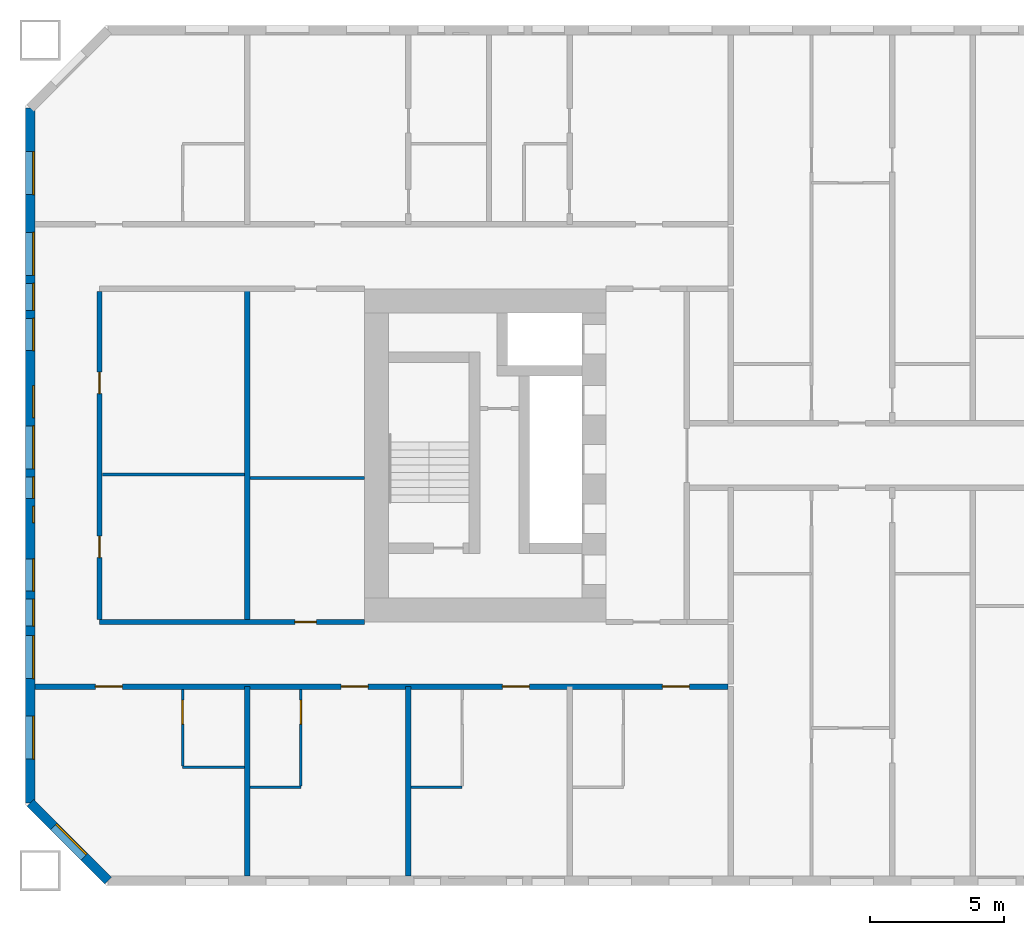
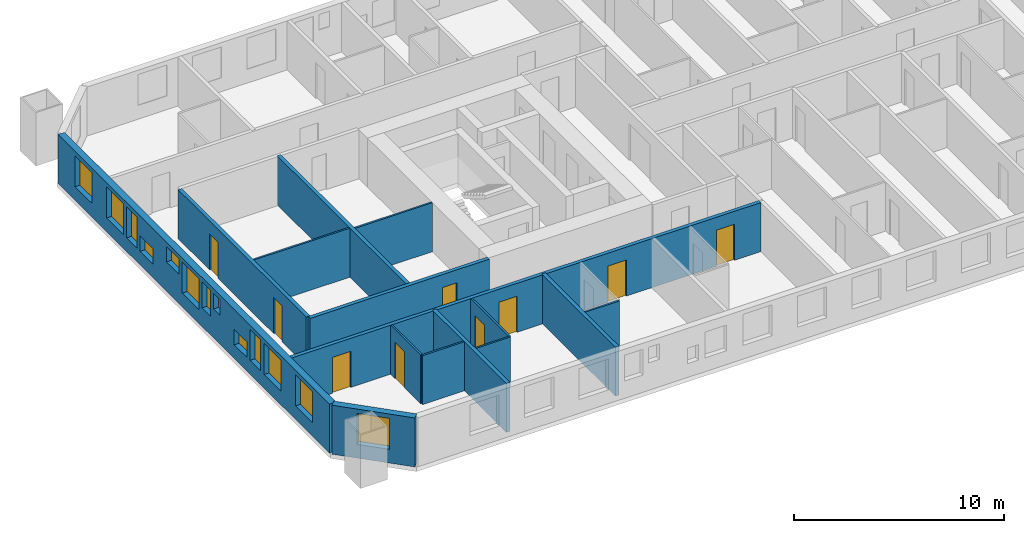
# One storey, part 2 of 17: 15 walls, 13 windows, 9 doors, 22 openings.
"""IFC4 building model written with IfcOpenShell, lengths in metres."""

from ifc_helpers import new_model, si_unit, direction, frame, frame_2d, origin, place, context, subcontext, project, spatial, rectangle, extrude, material, layer, layer_set, type_object, element, fill, save


model = new_model("IFC4")

# Units and contexts
model_context = context("Model", 3, precision=1e-05, world=origin(), true_north=direction((0.0, 1.0)))
body_context = subcontext(model_context, "Body", "Model", "MODEL_VIEW")
ifc_project = project(units=[si_unit("LENGTHUNIT", "METRE"), si_unit("AREAUNIT", "SQUARE_METRE"), si_unit("VOLUMEUNIT", "CUBIC_METRE"), si_unit("PLANEANGLEUNIT", "RADIAN"), si_unit("MASSUNIT", "GRAM", prefix="KILO")], contexts=[model_context])

# Site, building, storey
site_placement = place(None, origin())
site = spatial("IfcSite", under=ifc_project, at=site_placement, CompositionType="ELEMENT")
building_placement = place(site_placement, origin())
building = spatial("IfcBuilding", under=site, at=building_placement, Name="Tuart Gate Housing", CompositionType="ELEMENT")
storey_placement = place(building_placement, frame((0.0, 0.0, 28.800048828125)))
storey = spatial("IfcBuildingStorey", under=building, at=storey_placement, Name="L07", CompositionType="ELEMENT", Elevation=28.800048828125)

# Wall, opening, window
ifc_material_1 = material(Name="Brick", Category="masonry")
ifc_layer_1 = layer(ifc_material_1, 0.360107421875)
ifc_layer_set_1 = layer_set([ifc_layer_1], Name="Brick pier and spandrel wall 360")
wall_type_1 = type_object("IfcWallType", Name="Brick pier and spandrel wall 360", PredefinedType="STANDARD", material=ifc_layer_set_1)
wall_1_placement = place(storey_placement, frame((19.929931640625, 57.07470703125, 0.0), z_axis=(0.0, 0.0, 1.0), x_axis=(0.707106781187, -0.707106781187, 0.0)))
wall_1 = element("IfcWall", 1, at=wall_1_placement, inside=storey, type_object=wall_type_1, Name="External wall A-SW L07", PredefinedType="STANDARD", context=body_context, shape_type="SweptSolid", body=[
    extrude(rectangle(XDim=4.09375, YDim=0.360107421875, at=frame_2d((2.046875, 0.0))), origin(), (0.0, 0.0, 1.0), 2.849853515625),
])
opening_1_placement = place(wall_1_placement, frame((1.2470703125, 0.0, 0.800048828125)))
opening_1 = element("IfcOpeningElement", 2, at=opening_1_placement, cuts=wall_1, Name="Opening W1", PredefinedType="OPENING", context=body_context, shape_type="SweptSolid", body=[
    extrude(rectangle(XDim=1.60009765625, YDim=1.800048828125, at=frame_2d((0.800048828125, 0.89990234375))), frame((0.0, 0.18994140625, 0.0), z_axis=(0.0, -1.0, 0.0), x_axis=(1.0, 0.0, 0.0)), (0.0, 0.0, 1.0), 0.380126953125),
])
ifc_material_2 = material(Name="Aluminium frame with clear glass", Category="aluminium")
window_type_1 = type_object("IfcWindowType", Name="Punched window 1600 x 1800", PartitioningType="SINGLE_PANEL", PredefinedType="WINDOW", material=ifc_material_2)
window_1_placement = place(opening_1_placement, origin())
window_1 = element("IfcWindow", 3, at=window_1_placement, inside=storey, type_object=window_type_1, Name="Window W1", OverallHeight=1.800048828125, OverallWidth=1.60009765625, PartitioningType="SINGLE_PANEL", PredefinedType="WINDOW", context=body_context, shape_type="SweptSolid", body=[
    extrude(rectangle(XDim=1.60009765625, YDim=1.800048828125, at=frame_2d((0.800048828125, 0.89990234375))), frame((0.0, 0.150146484375, 0.0), z_axis=(0.0, -1.0, 0.0), x_axis=(1.0, 0.0, 0.0)), (0.0, 0.0, 1.0), 0.06005859375),
])
fill(opening_1, window_1)

# Wall, openings, windows
wall_2_placement = place(storey_placement, frame((19.929931640625, 82.92529296875, 0.0), z_axis=(0.0, 0.0, 1.0), x_axis=(0.0, -1.0, 0.0)))
wall_2 = element("IfcWall", 4, at=wall_2_placement, inside=storey, type_object=wall_type_1, Name="External wall A-W L07", PredefinedType="STANDARD", context=body_context, shape_type="SweptSolid", body=[
    extrude(rectangle(XDim=25.850830078125, YDim=0.360107421875, at=frame_2d((12.92529296875, 0.0))), origin(), (0.0, 0.0, 1.0), 2.849853515625),
])
opening_2_placement = place(wall_2_placement, frame((1.62548828125, 0.0, 0.800048828125)))
opening_2 = element("IfcOpeningElement", 5, at=opening_2_placement, cuts=wall_2, Name="Opening W1", PredefinedType="OPENING", context=body_context, shape_type="SweptSolid", body=[
    extrude(rectangle(XDim=1.60009765625, YDim=1.800048828125, at=frame_2d((0.800048828125, 0.89990234375))), frame((0.0, 0.18994140625, 0.0), z_axis=(0.0, -1.0, 0.0), x_axis=(1.0, 0.0, 0.0)), (0.0, 0.0, 1.0), 0.380126953125),
])
opening_3_placement = place(wall_2_placement, frame((4.62548828125, 0.0, 0.800048828125)))
opening_3 = element("IfcOpeningElement", 6, at=opening_3_placement, cuts=wall_2, Name="Opening W1", PredefinedType="OPENING", context=body_context, shape_type="SweptSolid", body=[
    extrude(rectangle(XDim=1.60009765625, YDim=1.800048828125, at=frame_2d((0.800048828125, 0.89990234375))), frame((0.0, 0.18994140625, 0.0), z_axis=(0.0, -1.0, 0.0), x_axis=(1.0, 0.0, 0.0)), (0.0, 0.0, 1.0), 0.380126953125),
])
opening_4_placement = place(wall_2_placement, frame((6.525390625, 0.0, 0.800048828125)))
opening_4 = element("IfcOpeningElement", 7, at=opening_4_placement, cuts=wall_2, Name="Opening W1C", PredefinedType="OPENING", context=body_context, shape_type="SweptSolid", body=[
    extrude(rectangle(XDim=1.0, YDim=1.800048828125, at=frame_2d((0.5, 0.89990234375))), frame((0.0, 0.18994140625, 0.0), z_axis=(0.0, -1.0, 0.0), x_axis=(1.0, 0.0, 0.0)), (0.0, 0.0, 1.0), 0.380126953125),
])
opening_5_placement = place(wall_2_placement, frame((7.825439453125, 0.0, 0.800048828125)))
opening_5 = element("IfcOpeningElement", 8, at=opening_5_placement, cuts=wall_2, Name="Opening W1T", PredefinedType="OPENING", context=body_context, shape_type="SweptSolid", body=[
    extrude(rectangle(XDim=1.199951171875, YDim=0.89990234375, at=frame_2d((0.60009765625, 0.449951171875))), frame((0.0, 0.18994140625, 0.0), z_axis=(0.0, -1.0, 0.0), x_axis=(1.0, 0.0, 0.0)), (0.0, 0.0, 1.0), 0.380126953125),
])
opening_6_placement = place(wall_2_placement, frame((10.325439453125, 0.0, 1.699951171875)))
opening_6 = element("IfcOpeningElement", 9, at=opening_6_placement, cuts=wall_2, Name="Opening W1T", PredefinedType="OPENING", context=body_context, shape_type="SweptSolid", body=[
    extrude(rectangle(XDim=1.199951171875, YDim=0.89990234375, at=frame_2d((0.60009765625, 0.449951171875))), frame((0.0, 0.18994140625, 0.0), z_axis=(0.0, -1.0, 0.0), x_axis=(1.0, 0.0, 0.0)), (0.0, 0.0, 1.0), 0.380126953125),
])
opening_7_placement = place(wall_2_placement, frame((11.825439453125, 0.0, 0.800048828125)))
opening_7 = element("IfcOpeningElement", 10, at=opening_7_placement, cuts=wall_2, Name="Opening W1", PredefinedType="OPENING", context=body_context, shape_type="SweptSolid", body=[
    extrude(rectangle(XDim=1.60009765625, YDim=1.800048828125, at=frame_2d((0.800048828125, 0.89990234375))), frame((0.0, 0.18994140625, 0.0), z_axis=(0.0, -1.0, 0.0), x_axis=(1.0, 0.0, 0.0)), (0.0, 0.0, 1.0), 0.380126953125),
])
opening_8_placement = place(wall_2_placement, frame((19.62548828125, 0.0, 0.800048828125)))
opening_8 = element("IfcOpeningElement", 11, at=opening_8_placement, cuts=wall_2, Name="Opening W1", PredefinedType="OPENING", context=body_context, shape_type="SweptSolid", body=[
    extrude(rectangle(XDim=1.60009765625, YDim=1.800048828125, at=frame_2d((0.800048828125, 0.89990234375))), frame((0.0, 0.18994140625, 0.0), z_axis=(0.0, -1.0, 0.0), x_axis=(1.0, 0.0, 0.0)), (0.0, 0.0, 1.0), 0.380126953125),
])
opening_9_placement = place(wall_2_placement, frame((22.62548828125, 0.0, 0.800048828125)))
opening_9 = element("IfcOpeningElement", 12, at=opening_9_placement, cuts=wall_2, Name="Opening W1", PredefinedType="OPENING", context=body_context, shape_type="SweptSolid", body=[
    extrude(rectangle(XDim=1.60009765625, YDim=1.800048828125, at=frame_2d((0.800048828125, 0.89990234375))), frame((0.0, 0.18994140625, 0.0), z_axis=(0.0, -1.0, 0.0), x_axis=(1.0, 0.0, 0.0)), (0.0, 0.0, 1.0), 0.380126953125),
])
opening_10_placement = place(wall_2_placement, frame((13.725341796875, 0.0, 1.10009765625)))
opening_10 = element("IfcOpeningElement", 13, at=opening_10_placement, cuts=wall_2, Name="Opening W1J", PredefinedType="OPENING", context=body_context, shape_type="SweptSolid", body=[
    extrude(rectangle(XDim=0.800048828125, YDim=1.5, at=frame_2d((0.39990234375, 0.75))), frame((0.0, 0.18994140625, 0.0), z_axis=(0.0, -1.0, 0.0), x_axis=(1.0, 0.0, 0.0)), (0.0, 0.0, 1.0), 0.380126953125),
])
opening_11_placement = place(wall_2_placement, frame((14.825439453125, 0.0, 1.699951171875)))
opening_11 = element("IfcOpeningElement", 14, at=opening_11_placement, cuts=wall_2, Name="Opening W1W", PredefinedType="OPENING", context=body_context, shape_type="SweptSolid", body=[
    extrude(rectangle(XDim=0.60009765625, YDim=0.89990234375, at=frame_2d((0.300048828125, 0.449951171875))), frame((0.0, 0.18994140625, 0.0), z_axis=(0.0, -1.0, 0.0), x_axis=(1.0, 0.0, 0.0)), (0.0, 0.0, 1.0), 0.380126953125),
])
opening_12_placement = place(wall_2_placement, frame((16.775390625, 0.0, 0.800048828125)))
opening_12 = element("IfcOpeningElement", 15, at=opening_12_placement, cuts=wall_2, Name="Opening W1T", PredefinedType="OPENING", context=body_context, shape_type="SweptSolid", body=[
    extrude(rectangle(XDim=1.199951171875, YDim=0.89990234375, at=frame_2d((0.60009765625, 0.449951171875))), frame((0.0, 0.18994140625, 0.0), z_axis=(0.0, -1.0, 0.0), x_axis=(1.0, 0.0, 0.0)), (0.0, 0.0, 1.0), 0.380126953125),
])
opening_13_placement = place(wall_2_placement, frame((18.275390625, 0.0, 0.800048828125)))
opening_13 = element("IfcOpeningElement", 16, at=opening_13_placement, cuts=wall_2, Name="Opening W1C", PredefinedType="OPENING", context=body_context, shape_type="SweptSolid", body=[
    extrude(rectangle(XDim=1.0, YDim=1.800048828125, at=frame_2d((0.5, 0.89990234375))), frame((0.0, 0.18994140625, 0.0), z_axis=(0.0, -1.0, 0.0), x_axis=(1.0, 0.0, 0.0)), (0.0, 0.0, 1.0), 0.380126953125),
])
ifc_material_3 = material(Name="Aluminium frame with clear glass", Category="aluminium")
window_type_2 = type_object("IfcWindowType", Name="Punched window 1000 x 1800", PartitioningType="SINGLE_PANEL", PredefinedType="WINDOW", material=ifc_material_3)
window_2_placement = place(opening_4_placement, origin())
window_2 = element("IfcWindow", 17, at=window_2_placement, inside=storey, type_object=window_type_2, Name="Window W1C", OverallHeight=1.800048828125, OverallWidth=1.0, PartitioningType="SINGLE_PANEL", PredefinedType="WINDOW", context=body_context, shape_type="SweptSolid", body=[
    extrude(rectangle(XDim=1.0, YDim=1.800048828125, at=frame_2d((0.5, 0.89990234375))), frame((0.0, 0.150146484375, 0.0), z_axis=(0.0, -1.0, 0.0), x_axis=(1.0, 0.0, 0.0)), (0.0, 0.0, 1.0), 0.06005859375),
])
fill(opening_4, window_2)
window_3_placement = place(opening_13_placement, origin())
window_3 = element("IfcWindow", 18, at=window_3_placement, inside=storey, type_object=window_type_2, Name="Window W1C", OverallHeight=1.800048828125, OverallWidth=1.0, PartitioningType="SINGLE_PANEL", PredefinedType="WINDOW", context=body_context, shape_type="SweptSolid", body=[
    extrude(rectangle(XDim=1.0, YDim=1.800048828125, at=frame_2d((0.5, 0.89990234375))), frame((0.0, 0.150146484375, 0.0), z_axis=(0.0, -1.0, 0.0), x_axis=(1.0, 0.0, 0.0)), (0.0, 0.0, 1.0), 0.06005859375),
])
fill(opening_13, window_3)
ifc_material_4 = material(Name="Aluminium frame with clear glass", Category="aluminium")
window_type_3 = type_object("IfcWindowType", Name="Punched window 1200 x 900", PartitioningType="SINGLE_PANEL", PredefinedType="WINDOW", material=ifc_material_4)
window_4_placement = place(opening_5_placement, origin())
window_4 = element("IfcWindow", 19, at=window_4_placement, inside=storey, type_object=window_type_3, Name="Window W1T", OverallHeight=0.89990234375, OverallWidth=1.199951171875, PartitioningType="SINGLE_PANEL", PredefinedType="WINDOW", context=body_context, shape_type="SweptSolid", body=[
    extrude(rectangle(XDim=1.199951171875, YDim=0.89990234375, at=frame_2d((0.60009765625, 0.449951171875))), frame((0.0, 0.150146484375, 0.0), z_axis=(0.0, -1.0, 0.0), x_axis=(1.0, 0.0, 0.0)), (0.0, 0.0, 1.0), 0.06005859375),
])
fill(opening_5, window_4)
window_5_placement = place(opening_6_placement, origin())
window_5 = element("IfcWindow", 20, at=window_5_placement, inside=storey, type_object=window_type_3, Name="Window W1T", OverallHeight=0.89990234375, OverallWidth=1.199951171875, PartitioningType="SINGLE_PANEL", PredefinedType="WINDOW", context=body_context, shape_type="SweptSolid", body=[
    extrude(rectangle(XDim=1.199951171875, YDim=0.89990234375, at=frame_2d((0.60009765625, 0.449951171875))), frame((0.0, 0.150146484375, 0.0), z_axis=(0.0, -1.0, 0.0), x_axis=(1.0, 0.0, 0.0)), (0.0, 0.0, 1.0), 0.06005859375),
])
fill(opening_6, window_5)
window_6_placement = place(opening_12_placement, origin())
window_6 = element("IfcWindow", 21, at=window_6_placement, inside=storey, type_object=window_type_3, Name="Window W1T", OverallHeight=0.89990234375, OverallWidth=1.199951171875, PartitioningType="SINGLE_PANEL", PredefinedType="WINDOW", context=body_context, shape_type="SweptSolid", body=[
    extrude(rectangle(XDim=1.199951171875, YDim=0.89990234375, at=frame_2d((0.60009765625, 0.449951171875))), frame((0.0, 0.150146484375, 0.0), z_axis=(0.0, -1.0, 0.0), x_axis=(1.0, 0.0, 0.0)), (0.0, 0.0, 1.0), 0.06005859375),
])
fill(opening_12, window_6)
window_7_placement = place(opening_2_placement, origin())
window_7 = element("IfcWindow", 22, at=window_7_placement, inside=storey, type_object=window_type_1, Name="Window W1", OverallHeight=1.800048828125, OverallWidth=1.60009765625, PartitioningType="SINGLE_PANEL", PredefinedType="WINDOW", context=body_context, shape_type="SweptSolid", body=[
    extrude(rectangle(XDim=1.60009765625, YDim=1.800048828125, at=frame_2d((0.800048828125, 0.89990234375))), frame((0.0, 0.150146484375, 0.0), z_axis=(0.0, -1.0, 0.0), x_axis=(1.0, 0.0, 0.0)), (0.0, 0.0, 1.0), 0.06005859375),
])
fill(opening_2, window_7)
window_8_placement = place(opening_3_placement, origin())
window_8 = element("IfcWindow", 23, at=window_8_placement, inside=storey, type_object=window_type_1, Name="Window W1", OverallHeight=1.800048828125, OverallWidth=1.60009765625, PartitioningType="SINGLE_PANEL", PredefinedType="WINDOW", context=body_context, shape_type="SweptSolid", body=[
    extrude(rectangle(XDim=1.60009765625, YDim=1.800048828125, at=frame_2d((0.800048828125, 0.89990234375))), frame((0.0, 0.150146484375, 0.0), z_axis=(0.0, -1.0, 0.0), x_axis=(1.0, 0.0, 0.0)), (0.0, 0.0, 1.0), 0.06005859375),
])
fill(opening_3, window_8)
window_9_placement = place(opening_7_placement, origin())
window_9 = element("IfcWindow", 24, at=window_9_placement, inside=storey, type_object=window_type_1, Name="Window W1", OverallHeight=1.800048828125, OverallWidth=1.60009765625, PartitioningType="SINGLE_PANEL", PredefinedType="WINDOW", context=body_context, shape_type="SweptSolid", body=[
    extrude(rectangle(XDim=1.60009765625, YDim=1.800048828125, at=frame_2d((0.800048828125, 0.89990234375))), frame((0.0, 0.150146484375, 0.0), z_axis=(0.0, -1.0, 0.0), x_axis=(1.0, 0.0, 0.0)), (0.0, 0.0, 1.0), 0.06005859375),
])
fill(opening_7, window_9)
window_10_placement = place(opening_8_placement, origin())
window_10 = element("IfcWindow", 25, at=window_10_placement, inside=storey, type_object=window_type_1, Name="Window W1", OverallHeight=1.800048828125, OverallWidth=1.60009765625, PartitioningType="SINGLE_PANEL", PredefinedType="WINDOW", context=body_context, shape_type="SweptSolid", body=[
    extrude(rectangle(XDim=1.60009765625, YDim=1.800048828125, at=frame_2d((0.800048828125, 0.89990234375))), frame((0.0, 0.150146484375, 0.0), z_axis=(0.0, -1.0, 0.0), x_axis=(1.0, 0.0, 0.0)), (0.0, 0.0, 1.0), 0.06005859375),
])
fill(opening_8, window_10)
window_11_placement = place(opening_9_placement, origin())
window_11 = element("IfcWindow", 26, at=window_11_placement, inside=storey, type_object=window_type_1, Name="Window W1", OverallHeight=1.800048828125, OverallWidth=1.60009765625, PartitioningType="SINGLE_PANEL", PredefinedType="WINDOW", context=body_context, shape_type="SweptSolid", body=[
    extrude(rectangle(XDim=1.60009765625, YDim=1.800048828125, at=frame_2d((0.800048828125, 0.89990234375))), frame((0.0, 0.150146484375, 0.0), z_axis=(0.0, -1.0, 0.0), x_axis=(1.0, 0.0, 0.0)), (0.0, 0.0, 1.0), 0.06005859375),
])
fill(opening_9, window_11)
ifc_material_5 = material(Name="Aluminium frame with clear glass", Category="aluminium")
window_type_4 = type_object("IfcWindowType", Name="Punched window 600 x 900", PartitioningType="SINGLE_PANEL", PredefinedType="WINDOW", material=ifc_material_5)
window_12_placement = place(opening_11_placement, origin())
window_12 = element("IfcWindow", 27, at=window_12_placement, inside=storey, type_object=window_type_4, Name="Window W1W", OverallHeight=0.89990234375, OverallWidth=0.60009765625, PartitioningType="SINGLE_PANEL", PredefinedType="WINDOW", context=body_context, shape_type="SweptSolid", body=[
    extrude(rectangle(XDim=0.60009765625, YDim=0.89990234375, at=frame_2d((0.300048828125, 0.449951171875))), frame((0.0, 0.150146484375, 0.0), z_axis=(0.0, -1.0, 0.0), x_axis=(1.0, 0.0, 0.0)), (0.0, 0.0, 1.0), 0.06005859375),
])
fill(opening_11, window_12)
ifc_material_6 = material(Name="Aluminium frame with clear glass", Category="aluminium")
window_type_5 = type_object("IfcWindowType", Name="Punched window 800 x 1500", PartitioningType="SINGLE_PANEL", PredefinedType="WINDOW", material=ifc_material_6)
window_13_placement = place(opening_10_placement, origin())
window_13 = element("IfcWindow", 28, at=window_13_placement, inside=storey, type_object=window_type_5, Name="Window W1J", OverallHeight=1.5, OverallWidth=0.800048828125, PartitioningType="SINGLE_PANEL", PredefinedType="WINDOW", context=body_context, shape_type="SweptSolid", body=[
    extrude(rectangle(XDim=0.800048828125, YDim=1.5, at=frame_2d((0.39990234375, 0.75))), frame((0.0, 0.150146484375, 0.0), z_axis=(0.0, -1.0, 0.0), x_axis=(1.0, 0.0, 0.0)), (0.0, 0.0, 1.0), 0.06005859375),
])
fill(opening_10, window_13)

# Wall, openings, doors
ifc_material_7 = material(Name="Concrete masonry 15 MPa", Category="masonry")
ifc_layer_2 = layer(ifc_material_7, 0.199951171875)
ifc_layer_set_2 = layer_set([ifc_layer_2], Name="Corridor wall masonry 200")
wall_type_2 = type_object("IfcWallType", Name="Corridor wall masonry 200", PredefinedType="PARTITIONING", material=ifc_layer_set_2)
wall_3_placement = place(storey_placement, frame((20.110107421875, 61.39990234375, 0.0), z_axis=(0.0, 0.0, 1.0), x_axis=(1.0, 0.0, 0.0)))
wall_3 = element("IfcWall", 29, at=wall_3_placement, inside=storey, type_object=wall_type_2, Name="Corridor wall masonry 200", PredefinedType="PARTITIONING", context=body_context, shape_type="SweptSolid", body=[
    extrude(rectangle(XDim=25.789794921875, YDim=0.199951171875, at=frame_2d((12.89501953125, 0.0))), origin(), (0.0, 0.0, 1.0), 2.849853515625),
])
opening_14_placement = place(wall_3_placement, frame((23.340087890625, 0.0, 0.0)))
opening_14 = element("IfcOpeningElement", 30, at=opening_14_placement, cuts=wall_3, Name="Opening D518", PredefinedType="OPENING", context=body_context, shape_type="SweptSolid", body=[
    extrude(rectangle(XDim=1.0, YDim=2.10009765625, at=frame_2d((0.5, 1.050048828125))), frame((0.0, 0.10986328125, 0.0), z_axis=(0.0, -1.0, 0.0), x_axis=(1.0, 0.0, 0.0)), (0.0, 0.0, 1.0), 0.219970703125),
])
opening_15_placement = place(wall_3_placement, frame((17.389892578125, 0.0, 0.0)))
opening_15 = element("IfcOpeningElement", 31, at=opening_15_placement, cuts=wall_3, Name="Opening D519", PredefinedType="OPENING", context=body_context, shape_type="SweptSolid", body=[
    extrude(rectangle(XDim=1.0, YDim=2.10009765625, at=frame_2d((0.5, 1.050048828125))), frame((0.0, 0.10986328125, 0.0), z_axis=(0.0, -1.0, 0.0), x_axis=(1.0, 0.0, 0.0)), (0.0, 0.0, 1.0), 0.219970703125),
])
opening_16_placement = place(wall_3_placement, frame((11.389892578125, 0.0, 0.0)))
opening_16 = element("IfcOpeningElement", 32, at=opening_16_placement, cuts=wall_3, Name="Opening D520", PredefinedType="OPENING", context=body_context, shape_type="SweptSolid", body=[
    extrude(rectangle(XDim=1.0, YDim=2.10009765625, at=frame_2d((0.5, 1.050048828125))), frame((0.0, 0.10986328125, 0.0), z_axis=(0.0, -1.0, 0.0), x_axis=(1.0, 0.0, 0.0)), (0.0, 0.0, 1.0), 0.219970703125),
])
opening_17_placement = place(wall_3_placement, frame((2.2451171875, 0.0, 0.0)))
opening_17 = element("IfcOpeningElement", 33, at=opening_17_placement, cuts=wall_3, Name="Opening D521", PredefinedType="OPENING", context=body_context, shape_type="SweptSolid", body=[
    extrude(rectangle(XDim=1.0, YDim=2.10009765625, at=frame_2d((0.5, 1.050048828125))), frame((0.0, 0.10986328125, 0.0), z_axis=(0.0, -1.0, 0.0), x_axis=(1.0, 0.0, 0.0)), (0.0, 0.0, 1.0), 0.219970703125),
])
ifc_material_8 = material(Name="Timber door leaf in steel frame", Category="steel")
door_type_1 = type_object("IfcDoorType", Name="Flat entrance door 1000 RH", OperationType="SINGLE_SWING_RIGHT", PredefinedType="DOOR", material=ifc_material_8)
door_1_placement = place(opening_14_placement, frame((1.0, 0.0, 0.0), z_axis=(0.0, 0.0, 1.0), x_axis=(-1.0, 0.0, 0.0)))
door_1 = element("IfcDoor", 34, at=door_1_placement, inside=storey, type_object=door_type_1, Name="Flat entrance door", OperationType="SINGLE_SWING_RIGHT", OverallHeight=2.10009765625, OverallWidth=1.0, PredefinedType="DOOR", context=body_context, shape_type="SweptSolid", body=[
    extrude(rectangle(XDim=1.0, YDim=2.10009765625, at=frame_2d((0.5, 1.050048828125))), frame((0.0, 0.025146484375, 0.0), z_axis=(0.0, -1.0, 0.0), x_axis=(1.0, 0.0, 0.0)), (0.0, 0.0, 1.0), 0.050048828125),
])
fill(opening_14, door_1)
door_2_placement = place(opening_15_placement, frame((1.0, 0.0, 0.0), z_axis=(0.0, 0.0, 1.0), x_axis=(-1.0, 0.0, 0.0)))
door_2 = element("IfcDoor", 35, at=door_2_placement, inside=storey, type_object=door_type_1, Name="Flat entrance door", OperationType="SINGLE_SWING_RIGHT", OverallHeight=2.10009765625, OverallWidth=1.0, PredefinedType="DOOR", context=body_context, shape_type="SweptSolid", body=[
    extrude(rectangle(XDim=1.0, YDim=2.10009765625, at=frame_2d((0.5, 1.050048828125))), frame((0.0, 0.025146484375, 0.0), z_axis=(0.0, -1.0, 0.0), x_axis=(1.0, 0.0, 0.0)), (0.0, 0.0, 1.0), 0.050048828125),
])
fill(opening_15, door_2)
door_3_placement = place(opening_16_placement, frame((1.0, 0.0, 0.0), z_axis=(0.0, 0.0, 1.0), x_axis=(-1.0, 0.0, 0.0)))
door_3 = element("IfcDoor", 36, at=door_3_placement, inside=storey, type_object=door_type_1, Name="Flat entrance door", OperationType="SINGLE_SWING_RIGHT", OverallHeight=2.10009765625, OverallWidth=1.0, PredefinedType="DOOR", context=body_context, shape_type="SweptSolid", body=[
    extrude(rectangle(XDim=1.0, YDim=2.10009765625, at=frame_2d((0.5, 1.050048828125))), frame((0.0, 0.025146484375, 0.0), z_axis=(0.0, -1.0, 0.0), x_axis=(1.0, 0.0, 0.0)), (0.0, 0.0, 1.0), 0.050048828125),
])
fill(opening_16, door_3)
door_4_placement = place(opening_17_placement, frame((1.0, 0.0, 0.0), z_axis=(0.0, 0.0, 1.0), x_axis=(-1.0, 0.0, 0.0)))
door_4 = element("IfcDoor", 37, at=door_4_placement, inside=storey, type_object=door_type_1, Name="Flat entrance door", OperationType="SINGLE_SWING_RIGHT", OverallHeight=2.10009765625, OverallWidth=1.0, PredefinedType="DOOR", context=body_context, shape_type="SweptSolid", body=[
    extrude(rectangle(XDim=1.0, YDim=2.10009765625, at=frame_2d((0.5, 1.050048828125))), frame((0.0, 0.025146484375, 0.0), z_axis=(0.0, -1.0, 0.0), x_axis=(1.0, 0.0, 0.0)), (0.0, 0.0, 1.0), 0.050048828125),
])
fill(opening_17, door_4)

# Wall, opening, door
wall_4_placement = place(storey_placement, frame((22.510009765625, 63.800048828125, 0.0), z_axis=(0.0, 0.0, 1.0), x_axis=(1.0, 0.0, 0.0)))
wall_4 = element("IfcWall", 38, at=wall_4_placement, inside=storey, type_object=wall_type_2, Name="Corridor wall masonry 200", PredefinedType="PARTITIONING", context=body_context, shape_type="SweptSolid", body=[
    extrude(rectangle(XDim=9.85009765625, YDim=0.199951171875, at=frame_2d((4.925048828125, 0.0))), origin(), (0.0, 0.0, 1.0), 2.849853515625),
])
opening_18_placement = place(wall_4_placement, frame((7.27001953125, 0.0, 0.0)))
opening_18 = element("IfcOpeningElement", 39, at=opening_18_placement, cuts=wall_4, Name="Opening D507", PredefinedType="OPENING", context=body_context, shape_type="SweptSolid", body=[
    extrude(rectangle(XDim=0.800048828125, YDim=2.10009765625, at=frame_2d((0.39990234375, 1.050048828125))), frame((0.0, 0.10986328125, 0.0), z_axis=(0.0, -1.0, 0.0), x_axis=(1.0, 0.0, 0.0)), (0.0, 0.0, 1.0), 0.219970703125),
])
ifc_material_9 = material(Name="Timber door leaf in steel frame", Category="steel")
door_type_2 = type_object("IfcDoorType", Name="Store door 800", OperationType="SINGLE_SWING_LEFT", PredefinedType="DOOR", material=ifc_material_9)
door_5_placement = place(opening_18_placement, origin())
door_5 = element("IfcDoor", 40, at=door_5_placement, inside=storey, type_object=door_type_2, Name="Store door", OperationType="SINGLE_SWING_LEFT", OverallHeight=2.10009765625, OverallWidth=0.800048828125, PredefinedType="DOOR", context=body_context, shape_type="SweptSolid", body=[
    extrude(rectangle(XDim=0.800048828125, YDim=2.10009765625, at=frame_2d((0.39990234375, 1.050048828125))), frame((0.0, 0.02490234375, 0.0), z_axis=(0.0, -1.0, 0.0), x_axis=(1.0, 0.0, 0.0)), (0.0, 0.0, 1.0), 0.050048828125),
])
fill(opening_18, door_5)

# Wall, openings, doors
wall_5_placement = place(storey_placement, frame((22.510009765625, 63.89990234375, 0.0), z_axis=(0.0, 0.0, 1.0), x_axis=(0.0, 1.0, 0.0)))
wall_5 = element("IfcWall", 41, at=wall_5_placement, inside=storey, type_object=wall_type_2, Name="Corridor wall masonry 200", PredefinedType="PARTITIONING", context=body_context, shape_type="SweptSolid", body=[
    extrude(rectangle(XDim=12.2001953125, YDim=0.199951171875, at=frame_2d((6.10009765625, 0.0))), origin(), (0.0, 0.0, 1.0), 2.849853515625),
])
opening_19_placement = place(wall_5_placement, frame((2.294921875, 0.0, 0.0)))
opening_19 = element("IfcOpeningElement", 42, at=opening_19_placement, cuts=wall_5, Name="Opening D496", PredefinedType="OPENING", context=body_context, shape_type="SweptSolid", body=[
    extrude(rectangle(XDim=0.800048828125, YDim=2.10009765625, at=frame_2d((0.39990234375, 1.050048828125))), frame((0.0, 0.10986328125, 0.0), z_axis=(0.0, -1.0, 0.0), x_axis=(1.0, 0.0, 0.0)), (0.0, 0.0, 1.0), 0.219970703125),
])
opening_20_placement = place(wall_5_placement, frame((8.39501953125, 0.0, 0.0)))
opening_20 = element("IfcOpeningElement", 43, at=opening_20_placement, cuts=wall_5, Name="Opening D497", PredefinedType="OPENING", context=body_context, shape_type="SweptSolid", body=[
    extrude(rectangle(XDim=0.800048828125, YDim=2.10009765625, at=frame_2d((0.39990234375, 1.050048828125))), frame((0.0, 0.10986328125, 0.0), z_axis=(0.0, -1.0, 0.0), x_axis=(1.0, 0.0, 0.0)), (0.0, 0.0, 1.0), 0.219970703125),
])
door_6_placement = place(opening_19_placement, frame((0.800048828125, 0.0, 0.0), z_axis=(0.0, 0.0, 1.0), x_axis=(-1.0, 0.0, 0.0)))
door_6 = element("IfcDoor", 44, at=door_6_placement, inside=storey, type_object=door_type_2, Name="Store door", OperationType="SINGLE_SWING_LEFT", OverallHeight=2.10009765625, OverallWidth=0.800048828125, PredefinedType="DOOR", context=body_context, shape_type="SweptSolid", body=[
    extrude(rectangle(XDim=0.800048828125, YDim=2.10009765625, at=frame_2d((0.400146484375, 1.050048828125))), frame((0.0, 0.025146484375, 0.0), z_axis=(0.0, -1.0, 0.0), x_axis=(1.0, 0.0, 0.0)), (0.0, 0.0, 1.0), 0.050048828125),
])
fill(opening_19, door_6)
ifc_material_10 = material(Name="Timber door leaf in steel frame", Category="steel")
door_type_3 = type_object("IfcDoorType", Name="Store door 800 RH", OperationType="SINGLE_SWING_RIGHT", PredefinedType="DOOR", material=ifc_material_10)
door_7_placement = place(opening_20_placement, frame((0.800048828125, 0.0, 0.0), z_axis=(0.0, 0.0, 1.0), x_axis=(-1.0, 0.0, 0.0)))
door_7 = element("IfcDoor", 45, at=door_7_placement, inside=storey, type_object=door_type_3, Name="Store door", OperationType="SINGLE_SWING_RIGHT", OverallHeight=2.10009765625, OverallWidth=0.800048828125, PredefinedType="DOOR", context=body_context, shape_type="SweptSolid", body=[
    extrude(rectangle(XDim=0.800048828125, YDim=2.10009765625, at=frame_2d((0.400146484375, 1.050048828125))), frame((0.0, 0.025146484375, 0.0), z_axis=(0.0, -1.0, 0.0), x_axis=(1.0, 0.0, 0.0)), (0.0, 0.0, 1.0), 0.050048828125),
])
fill(opening_20, door_7)

# Walls
ifc_material_11 = material(Name="Gypsum board on steel studs", Category="steel")
ifc_layer_3 = layer(ifc_material_11, 0.10009765625)
ifc_layer_set_3 = layer_set([ifc_layer_3], Name="Partition 100")
wall_type_3 = type_object("IfcWallType", Name="Partition 100", PredefinedType="PARTITIONING", material=ifc_layer_set_3)
for number, where, z_axis, x_axis, name in (
    (46, (28.10009765625, 57.64990234375, 0.0), (0.0, 0.0, 1.0), (1.0, 0.0, 0.0), "Partition 100"),
    (47, (34.10009765625, 57.64990234375, 0.0), (0.0, 0.0, 1.0), (1.0, 0.0, 0.0), "Partition 100"),
):
    element("IfcWall", number, at=place(storey_placement, frame(where, z_axis=z_axis, x_axis=x_axis)), inside=storey, type_object=wall_type_3, Name=name, PredefinedType="PARTITIONING", context=body_context, shape_type="SweptSolid", body=[
        extrude(rectangle(XDim=1.89990234375, YDim=0.10009765625, at=frame_2d((0.949951171875, 0.0))), origin(), (0.0, 0.0, 1.0), 2.849853515625),
    ])
wall_6_placement = place(storey_placement, frame((25.60009765625, 58.39990234375, 0.0), z_axis=(0.0, 0.0, 1.0), x_axis=(1.0, 0.0, 0.0)))
element("IfcWall", 48, at=wall_6_placement, inside=storey, type_object=wall_type_3, Name="Partition 100", PredefinedType="PARTITIONING", context=body_context, shape_type="SweptSolid", body=[
    extrude(rectangle(XDim=2.2998046875, YDim=0.10009765625, at=frame_2d((1.14990234375, 0.0))), origin(), (0.0, 0.0, 1.0), 2.849853515625),
])
wall_7_placement = place(storey_placement, frame((28.10009765625, 69.159912109375, 0.0), z_axis=(0.0, 0.0, 1.0), x_axis=(1.0, 0.0, 0.0)))
element("IfcWall", 49, at=wall_7_placement, inside=storey, type_object=wall_type_3, Name="Partition 100", PredefinedType="PARTITIONING", context=body_context, shape_type="SweptSolid", body=[
    extrude(rectangle(XDim=4.260009765625, YDim=0.10009765625, at=frame_2d((2.1298828125, 0.0))), origin(), (0.0, 0.0, 1.0), 2.849853515625),
])
wall_8_placement = place(storey_placement, frame((22.610107421875, 69.2900390625, 0.0), z_axis=(0.0, 0.0, 1.0), x_axis=(1.0, 0.0, 0.0)))
element("IfcWall", 50, at=wall_8_placement, inside=storey, type_object=wall_type_3, Name="Partition 100", PredefinedType="PARTITIONING", context=body_context, shape_type="SweptSolid", body=[
    extrude(rectangle(XDim=5.289794921875, YDim=0.10009765625, at=frame_2d((2.64501953125, 0.0))), origin(), (0.0, 0.0, 1.0), 2.849853515625),
])

# Wall, opening, door
wall_9_placement = place(storey_placement, frame((25.60009765625, 58.449951171875, 0.0), z_axis=(0.0, 0.0, 1.0), x_axis=(0.0, 1.0, 0.0)))
wall_9 = element("IfcWall", 51, at=wall_9_placement, inside=storey, type_object=wall_type_3, Name="Partition 100", PredefinedType="PARTITIONING", context=body_context, shape_type="SweptSolid", body=[
    extrude(rectangle(XDim=2.85009765625, YDim=0.10009765625, at=frame_2d((1.425048828125, 0.0))), origin(), (0.0, 0.0, 1.0), 2.849853515625),
])
opening_21_placement = place(wall_9_placement, frame((1.550048828125, 0.0, 0.0)))
opening_21 = element("IfcOpeningElement", 52, at=opening_21_placement, cuts=wall_9, Name="Opening D524", PredefinedType="OPENING", context=body_context, shape_type="SweptSolid", body=[
    extrude(rectangle(XDim=0.89990234375, YDim=2.10009765625, at=frame_2d((0.449951171875, 1.050048828125))), frame((0.0, 0.06005859375, 0.0), z_axis=(0.0, -1.0, 0.0), x_axis=(1.0, 0.0, 0.0)), (0.0, 0.0, 1.0), 0.1201171875),
])
ifc_material_12 = material(Name="Timber door leaf in steel frame", Category="steel")
door_type_4 = type_object("IfcDoorType", Name="Bathroom door 900", OperationType="SINGLE_SWING_LEFT", PredefinedType="DOOR", material=ifc_material_12)
door_8_placement = place(opening_21_placement, frame((0.89990234375, 0.0, 0.0), z_axis=(0.0, 0.0, 1.0), x_axis=(-1.0, 0.0, 0.0)))
door_8 = element("IfcDoor", 53, at=door_8_placement, inside=storey, type_object=door_type_4, Name="Bathroom door", OperationType="SINGLE_SWING_LEFT", OverallHeight=2.10009765625, OverallWidth=0.89990234375, PredefinedType="DOOR", context=body_context, shape_type="SweptSolid", body=[
    extrude(rectangle(XDim=0.89990234375, YDim=2.10009765625, at=frame_2d((0.449951171875, 1.050048828125))), frame((0.0, 0.025146484375, 0.0), z_axis=(0.0, -1.0, 0.0), x_axis=(1.0, 0.0, 0.0)), (0.0, 0.0, 1.0), 0.050048828125),
])
fill(opening_21, door_8)

wall_10_placement = place(storey_placement, frame((30.0, 57.699951171875, 0.0), z_axis=(0.0, 0.0, 1.0), x_axis=(0.0, 1.0, 0.0)))
wall_10 = element("IfcWall", 54, at=wall_10_placement, inside=storey, type_object=wall_type_3, Name="Partition 100", PredefinedType="PARTITIONING", context=body_context, shape_type="SweptSolid", body=[
    extrude(rectangle(XDim=3.60009765625, YDim=0.10009765625, at=frame_2d((1.800048828125, 0.0))), origin(), (0.0, 0.0, 1.0), 2.849853515625),
])
opening_22_placement = place(wall_10_placement, frame((2.300048828125, 0.0, 0.0)))
opening_22 = element("IfcOpeningElement", 55, at=opening_22_placement, cuts=wall_10, Name="Opening D527", PredefinedType="OPENING", context=body_context, shape_type="SweptSolid", body=[
    extrude(rectangle(XDim=0.89990234375, YDim=2.10009765625, at=frame_2d((0.449951171875, 1.050048828125))), frame((0.0, 0.06005859375, 0.0), z_axis=(0.0, -1.0, 0.0), x_axis=(1.0, 0.0, 0.0)), (0.0, 0.0, 1.0), 0.1201171875),
])
ifc_material_13 = material(Name="Timber door leaf in steel frame", Category="steel")
door_type_5 = type_object("IfcDoorType", Name="Bathroom door 900 RH", OperationType="SINGLE_SWING_RIGHT", PredefinedType="DOOR", material=ifc_material_13)
door_9_placement = place(opening_22_placement, origin())
door_9 = element("IfcDoor", 56, at=door_9_placement, inside=storey, type_object=door_type_5, Name="Bathroom door", OperationType="SINGLE_SWING_RIGHT", OverallHeight=2.10009765625, OverallWidth=0.89990234375, PredefinedType="DOOR", context=body_context, shape_type="SweptSolid", body=[
    extrude(rectangle(XDim=0.89990234375, YDim=2.10009765625, at=frame_2d((0.449951171875, 1.050048828125))), frame((0.0, 0.02490234375, 0.0), z_axis=(0.0, -1.0, 0.0), x_axis=(1.0, 0.0, 0.0)), (0.0, 0.0, 1.0), 0.050048828125),
])
fill(opening_22, door_9)

# Walls
ifc_material_14 = material(Name="Concrete C40", Category="concrete")
ifc_layer_4 = layer(ifc_material_14, 0.199951171875)
ifc_layer_set_4 = layer_set([ifc_layer_4], Name="Party wall concrete C40 200")
wall_type_4 = type_object("IfcWallType", Name="Party wall concrete C40 200", PredefinedType="SOLIDWALL", material=ifc_layer_set_4)
wall_11_placement = place(storey_placement, frame((28.0, 54.360107421875, 0.0), z_axis=(0.0, 0.0, 1.0), x_axis=(0.0, 1.0, 0.0)))
element("IfcWall", 57, at=wall_11_placement, inside=storey, type_object=wall_type_4, Name="Party wall concrete C40 200", PredefinedType="SOLIDWALL", context=body_context, shape_type="SweptSolid", body=[
    extrude(rectangle(XDim=7.039794921875, YDim=0.199951171875, at=frame_2d((3.52001953125, 0.0))), origin(), (0.0, 0.0, 1.0), 2.849853515625),
])
wall_12_placement = place(storey_placement, frame((28.0, 63.800048828125, 0.0), z_axis=(0.0, 0.0, 1.0), x_axis=(0.0, 1.0, 0.0)))
element("IfcWall", 58, at=wall_12_placement, inside=storey, type_object=wall_type_4, Name="Party wall concrete C40 200", PredefinedType="SOLIDWALL", context=body_context, shape_type="SweptSolid", body=[
    extrude(rectangle(XDim=12.39990234375, YDim=0.199951171875, at=frame_2d((6.199951171875, 0.0))), origin(), (0.0, 0.0, 1.0), 2.849853515625),
])
wall_13_placement = place(storey_placement, frame((34.0, 54.360107421875, 0.0), z_axis=(0.0, 0.0, 1.0), x_axis=(0.0, 1.0, 0.0)))
element("IfcWall", 59, at=wall_13_placement, inside=storey, type_object=wall_type_4, Name="Party wall concrete C40 200", PredefinedType="SOLIDWALL", context=body_context, shape_type="SweptSolid", body=[
    extrude(rectangle(XDim=7.039794921875, YDim=0.199951171875, at=frame_2d((3.52001953125, 0.0))), origin(), (0.0, 0.0, 1.0), 2.849853515625),
])

save(model, "model.ifc")
